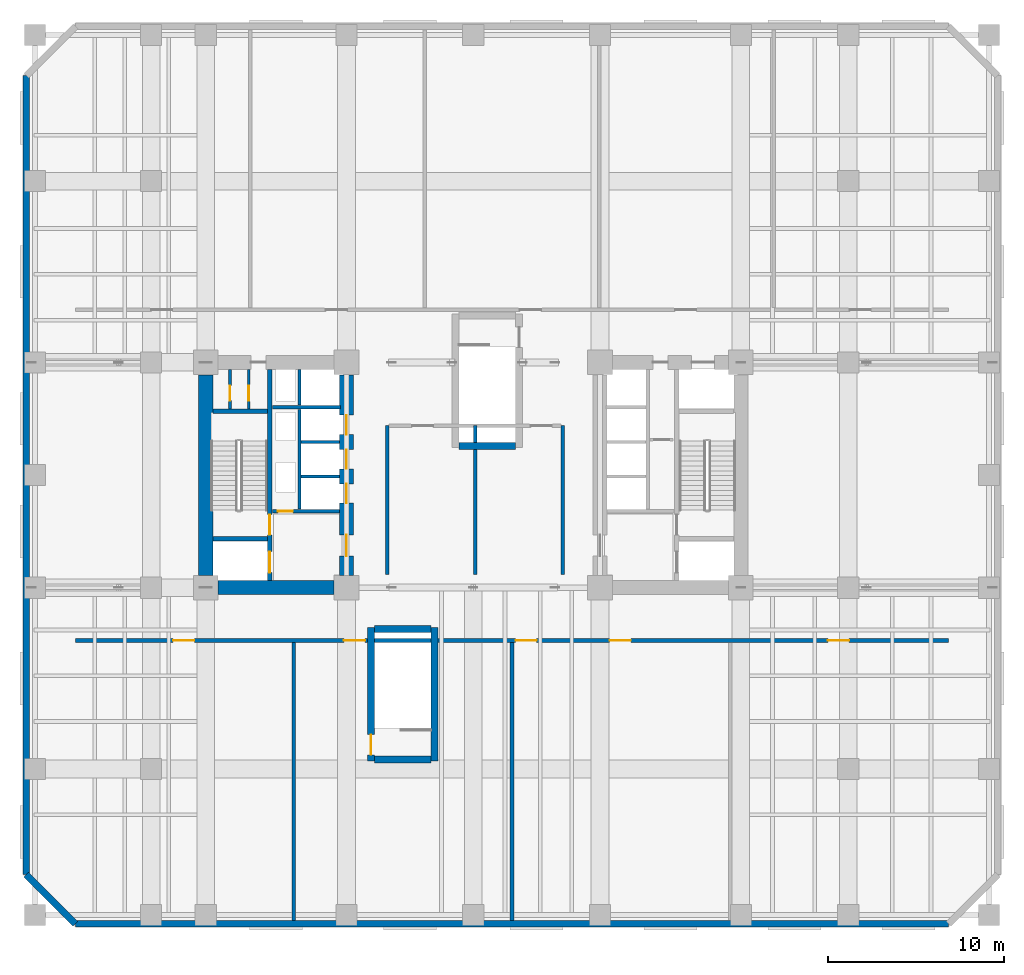
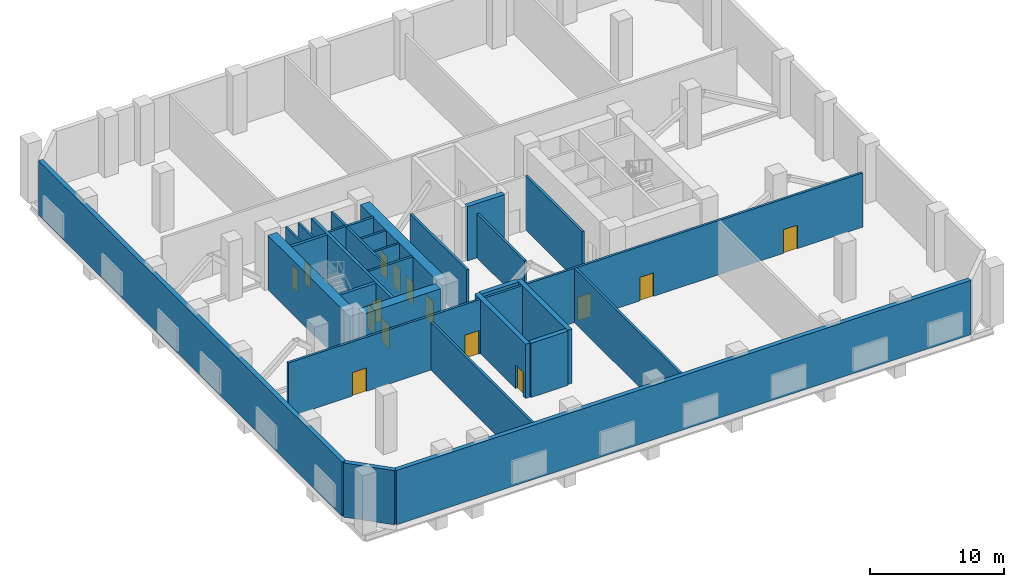
# One storey, part 7 of 13: 28 walls, 15 doors, 15 openings.
"""IFC4 building model written with IfcOpenShell, lengths in metres."""

from ifc_helpers import new_model, si_unit, direction, frame, frame_2d, origin, place, context, subcontext, project, spatial, rectangle, extrude, material, layer, layer_set, type_object, element, fill, save


model = new_model("IFC4")

# Units and contexts
model_context = context("Model", 3, precision=1e-05, world=origin(), true_north=direction((0.0, 1.0)))
body_context = subcontext(model_context, "Body", "Model", "MODEL_VIEW")
ifc_project = project(units=[si_unit("LENGTHUNIT", "METRE"), si_unit("AREAUNIT", "SQUARE_METRE"), si_unit("VOLUMEUNIT", "CUBIC_METRE"), si_unit("PLANEANGLEUNIT", "RADIAN"), si_unit("MASSUNIT", "GRAM", prefix="KILO")], contexts=[model_context])

# Site, building, storey
site_placement = place(None, origin())
site = spatial("IfcSite", under=ifc_project, at=site_placement, CompositionType="ELEMENT")
building_placement = place(site_placement, origin())
building = spatial("IfcBuilding", under=site, at=building_placement, Name="Kranthara Brick Stack", CompositionType="ELEMENT")
storey_placement = place(building_placement, frame((0.0, 0.0, 18.89990234375)))
storey = spatial("IfcBuildingStorey", under=building, at=storey_placement, Name="L04", CompositionType="ELEMENT", Elevation=18.89990234375)

# Walls
ifc_material_1 = material(Name="Kiln-fired clay brick masonry M15", Category="masonry")
ifc_layer_1 = layer(ifc_material_1, 0.3798828125)
ifc_layer_set_1 = layer_set([ifc_layer_1], Name="Kiln-fired clay brick masonry M15")
wall_type_1 = type_object("IfcWallType", Name="WL-BRK-PIER-380", PredefinedType="STANDARD", material=ifc_layer_set_1)
wall_1_placement = place(storey_placement, frame((55.0, 1.7099609375, 0.0), z_axis=(0.0, 0.0, 1.0), x_axis=(-1.0, 0.0, 0.0)))
element("IfcWall", 1, at=wall_1_placement, inside=storey, type_object=wall_type_1, Name="L04 Exterior Brick Facade Wall SOUTH 1", PredefinedType="STANDARD", context=body_context, shape_type="SweptSolid", body=[
    extrude(rectangle(XDim=49.60009765625, YDim=0.3798828125, at=frame_2d((24.800048828125, 0.0))), origin(), (0.0, 0.0, 1.0), 4.9501953125),
])
wall_2_placement = place(storey_placement, frame((5.39990234375, 1.7099609375, 0.0), z_axis=(0.0, 0.0, 1.0), x_axis=(-0.707075841688, 0.707137719332, 0.0)))
element("IfcWall", 2, at=wall_2_placement, inside=storey, type_object=wall_type_1, Name="L04 Exterior Brick Facade Wall SW 1", PredefinedType="STANDARD", context=body_context, shape_type="SweptSolid", body=[
    extrude(rectangle(XDim=3.945556640625, YDim=0.3798828125, at=frame_2d((1.97265625, 0.0))), origin(), (0.0, 0.0, 1.0), 4.9501953125),
])
wall_3_placement = place(storey_placement, frame((2.610107421875, 4.5, 0.0), z_axis=(0.0, 0.0, 1.0), x_axis=(0.0, 1.0, 0.0)))
element("IfcWall", 3, at=wall_3_placement, inside=storey, type_object=wall_type_1, Name="L04 Exterior Brick Facade Wall WEST 1", PredefinedType="STANDARD", context=body_context, shape_type="SweptSolid", body=[
    extrude(rectangle(XDim=45.39990234375, YDim=0.3798828125, at=frame_2d((22.699951171875, 0.0))), origin(), (0.0, 0.0, 1.0), 4.9501953125),
])

# Wall, openings, doors
ifc_material_2 = material(Name="Concrete C50/60", Category="concrete")
ifc_layer_2 = layer(ifc_material_2, 0.25)
ifc_layer_set_2 = layer_set([ifc_layer_2], Name="Concrete C50/60")
wall_type_2 = type_object("IfcWallType", Name="WL-CORE-250", PredefinedType="SHEAR", material=ifc_layer_set_2)
wall_4_placement = place(storey_placement, frame((16.43505859375, 21.2099609375, 0.0), z_axis=(0.0, 0.0, 1.0), x_axis=(0.0, 1.0, 0.0)))
wall_4 = element("IfcWall", 4, at=wall_4_placement, inside=storey, type_object=wall_type_2, Name="L04 West Core Stair Bearing Spine Wall", PredefinedType="SHEAR", context=body_context, shape_type="SweptSolid", body=[
    extrude(rectangle(XDim=11.97998046875, YDim=0.25, at=frame_2d((5.989990234375, 0.0))), origin(), (0.0, 0.0, 1.0), 4.9501953125),
])
opening_1_placement = place(wall_4_placement, frame((0.43994140625, 0.0, 0.0)))
opening_1 = element("IfcOpeningElement", 5, at=opening_1_placement, cuts=wall_4, Name="Opening LD01", PredefinedType="OPENING", context=body_context, shape_type="SweptSolid", body=[
    extrude(rectangle(XDim=1.199951171875, YDim=2.14990234375, at=frame_2d((0.60009765625, 1.074951171875))), frame((0.0, 0.135009765625, 0.0), z_axis=(0.0, -1.0, 0.0), x_axis=(1.0, 0.0, 0.0)), (0.0, 0.0, 1.0), 0.27001953125),
])
opening_2_placement = place(wall_4_placement, frame((2.590087890625, 0.0, 0.0)))
opening_2 = element("IfcOpeningElement", 6, at=opening_2_placement, cuts=wall_4, Name="Opening D05", PredefinedType="OPENING", context=body_context, shape_type="SweptSolid", body=[
    extrude(rectangle(XDim=1.14990234375, YDim=2.14990234375, at=frame_2d((0.574951171875, 1.074951171875))), frame((0.0, 0.135009765625, 0.0), z_axis=(0.0, -1.0, 0.0), x_axis=(1.0, 0.0, 0.0)), (0.0, 0.0, 1.0), 0.27001953125),
])
ifc_material_3 = material(Name="Stainless steel sliding landing door", Category="steel")
door_type_1 = type_object("IfcDoorType", Name="DR-LD-FF1200", OperationType="DOUBLE_DOOR_SLIDING", PredefinedType="DOOR", material=ifc_material_3)
door_1_placement = place(opening_1_placement, origin())
door_1 = element("IfcDoor", 7, at=door_1_placement, inside=storey, type_object=door_type_1, Name="L04 Firefighting Lift FF-01 Landing Door", OperationType="DOUBLE_DOOR_SLIDING", OverallHeight=2.14990234375, OverallWidth=1.199951171875, PredefinedType="DOOR", context=body_context, shape_type="SweptSolid", body=[
    extrude(rectangle(XDim=1.199951171875, YDim=2.14990234375, at=frame_2d((0.60009765625, 1.074951171875))), frame((0.0, 0.02490234375, 0.0), z_axis=(0.0, -1.0, 0.0), x_axis=(1.0, 0.0, 0.0)), (0.0, 0.0, 1.0), 0.050048828125),
])
fill(opening_1, door_1)
ifc_material_4 = material(Name="Solid-core hardwood timber leaf in steel frame", Category="steel")
door_type_2 = type_object("IfcDoorType", Name="DR-ST-1150", OperationType="NOTDEFINED", PredefinedType="DOOR", material=ifc_material_4)
door_2_placement = place(opening_2_placement, origin())
door_2 = element("IfcDoor", 8, at=door_2_placement, inside=storey, type_object=door_type_2, Name="L04 Exit Stair ST01 Door", OperationType="SINGLE_SWING_RIGHT", OverallHeight=2.14990234375, OverallWidth=1.14990234375, PredefinedType="DOOR", context=body_context, shape_type="SweptSolid", body=[
    extrude(rectangle(XDim=1.14990234375, YDim=2.14990234375, at=frame_2d((0.574951171875, 1.074951171875))), frame((0.0, 0.02490234375, 0.0), z_axis=(0.0, -1.0, 0.0), x_axis=(1.0, 0.0, 0.0)), (0.0, 0.0, 1.0), 0.050048828125),
])
fill(opening_2, door_2)

# Walls
for number, where, z_axis, x_axis, name in (
    (9, (13.2099609375, 23.570068359375, 0.0), (0.0, 0.0, 1.0), (1.0, 0.0, 0.0), "L04 West Stairwell Bearing Wall WFF"),
    (10, (13.2099609375, 30.830078125, 0.0), (0.0, 0.0, 1.0), (1.0, 0.0, 0.0), "L04 West Stairwell Bearing Wall WST"),
):
    element("IfcWall", number, at=place(storey_placement, frame(where, z_axis=z_axis, x_axis=x_axis)), inside=storey, type_object=wall_type_2, Name=name, PredefinedType="SHEAR", context=body_context, shape_type="SweptSolid", body=[
        extrude(rectangle(XDim=3.10009765625, YDim=0.25, at=frame_2d((1.550048828125, 0.0))), origin(), (0.0, 0.0, 1.0), 4.9501953125),
    ])

# Wall, opening, door
ifc_material_5 = material(Name="Concrete C50/60", Category="concrete")
ifc_layer_3 = layer(ifc_material_5, 0.39990234375)
ifc_layer_set_3 = layer_set([ifc_layer_3], Name="Concrete C50/60")
wall_type_3 = type_object("IfcWallType", Name="WL-CORE-400", PredefinedType="SHEAR", material=ifc_layer_set_3)
wall_5_placement = place(storey_placement, frame((22.18994140625, 10.949951171875, 0.0), z_axis=(0.0, 0.0, 1.0), x_axis=(0.0, 1.0, 0.0)))
wall_5 = element("IfcWall", 11, at=wall_5_placement, inside=storey, type_object=wall_type_3, Name="L04 Stair ST03 Bearing Wall W", PredefinedType="SHEAR", context=body_context, shape_type="SweptSolid", body=[
    extrude(rectangle(XDim=7.60009765625, YDim=0.39990234375, at=frame_2d((3.800048828125, 0.0))), origin(), (0.0, 0.0, 1.0), 4.9501953125),
])
opening_3_placement = place(wall_5_placement, frame((0.35009765625, 0.0, 0.0)))
opening_3 = element("IfcOpeningElement", 12, at=opening_3_placement, cuts=wall_5, Name="Opening D05", PredefinedType="OPENING", context=body_context, shape_type="SweptSolid", body=[
    extrude(rectangle(XDim=1.14990234375, YDim=2.14990234375, at=frame_2d((0.574951171875, 1.074951171875))), frame((0.0, 0.2099609375, 0.0), z_axis=(0.0, -1.0, 0.0), x_axis=(1.0, 0.0, 0.0)), (0.0, 0.0, 1.0), 0.419921875),
])
door_3_placement = place(opening_3_placement, origin())
door_3 = element("IfcDoor", 13, at=door_3_placement, inside=storey, type_object=door_type_2, Name="L04 Stair ST03 Door", OperationType="SINGLE_SWING_LEFT", OverallHeight=2.14990234375, OverallWidth=1.14990234375, PredefinedType="DOOR", context=body_context, shape_type="SweptSolid", body=[
    extrude(rectangle(XDim=1.14990234375, YDim=2.14990234375, at=frame_2d((0.574951171875, 1.074951171875))), frame((0.0, 0.02490234375, 0.0), z_axis=(0.0, -1.0, 0.0), x_axis=(1.0, 0.0, 0.0)), (0.0, 0.0, 1.0), 0.050048828125),
])
fill(opening_3, door_3)

# Walls
wall_6_placement = place(storey_placement, frame((25.81005859375, 10.949951171875, 0.0), z_axis=(0.0, 0.0, 1.0), x_axis=(0.0, 1.0, 0.0)))
element("IfcWall", 14, at=wall_6_placement, inside=storey, type_object=wall_type_3, Name="L04 Stair ST03 Bearing Wall E", PredefinedType="SHEAR", context=body_context, shape_type="SweptSolid", body=[
    extrude(rectangle(XDim=7.60009765625, YDim=0.39990234375, at=frame_2d((3.800048828125, 0.0))), origin(), (0.0, 0.0, 1.0), 4.9501953125),
])
for number, where, z_axis, x_axis, name in (
    (15, (22.39990234375, 11.050048828125, 0.0), (0.0, 0.0, 1.0), (1.0, 0.0, 0.0), "L04 Stair ST03 Bearing Wall S"),
    (16, (22.39990234375, 18.449951171875, 0.0), (0.0, 0.0, 1.0), (1.0, 0.0, 0.0), "L04 Stair ST03 Bearing Wall N"),
):
    element("IfcWall", number, at=place(storey_placement, frame(where, z_axis=z_axis, x_axis=x_axis)), inside=storey, type_object=wall_type_3, Name=name, PredefinedType="SHEAR", context=body_context, shape_type="SweptSolid", body=[
        extrude(rectangle(XDim=3.2001953125, YDim=0.39990234375, at=frame_2d((1.60009765625, 0.0))), origin(), (0.0, 0.0, 1.0), 4.9501953125),
    ])
wall_7_placement = place(storey_placement, frame((27.199951171875, 28.85009765625, 0.0), z_axis=(0.0, 0.0, 1.0), x_axis=(1.0, 0.0, 0.0)))
element("IfcWall", 17, at=wall_7_placement, inside=storey, type_object=wall_type_3, Name="L04 Stair ST04 Bearing Wall S", PredefinedType="SHEAR", context=body_context, shape_type="SweptSolid", body=[
    extrude(rectangle(XDim=3.199951171875, YDim=0.39990234375, at=frame_2d((1.60009765625, 0.0))), origin(), (0.0, 0.0, 1.0), 4.9501953125),
])
ifc_material_6 = material(Name="Concrete C70/85", Category="concrete")
ifc_layer_4 = layer(ifc_material_6, 0.800048828125)
ifc_layer_set_4 = layer_set([ifc_layer_4], Name="Concrete C70/85")
wall_type_4 = type_object("IfcWallType", Name="WL-CORE-800", PredefinedType="SHEAR", material=ifc_layer_set_4)
wall_8_placement = place(storey_placement, frame((12.800048828125, 21.5048828125, 0.0), z_axis=(0.0, 0.0, 1.0), x_axis=(0.0, 1.0, 0.0)))
element("IfcWall", 18, at=wall_8_placement, inside=storey, type_object=wall_type_4, Name="L04 West Core Shear Wall West", PredefinedType="SHEAR", context=body_context, shape_type="SweptSolid", body=[
    extrude(rectangle(XDim=11.39013671875, YDim=0.800048828125, at=frame_2d((5.695068359375, 0.0))), origin(), (0.0, 0.0, 1.0), 4.9501953125),
])
wall_9_placement = place(storey_placement, frame((13.5048828125, 20.800048828125, 0.0), z_axis=(0.0, 0.0, 1.0), x_axis=(1.0, 0.0, 0.0)))
element("IfcWall", 19, at=wall_9_placement, inside=storey, type_object=wall_type_4, Name="L04 West Core Shear Wall South", PredefinedType="SHEAR", context=body_context, shape_type="SweptSolid", body=[
    extrude(rectangle(XDim=6.590087890625, YDim=0.800048828125, at=frame_2d((3.294921875, 0.0))), origin(), (0.0, 0.0, 1.0), 4.9501953125),
])

# Wall, openings, doors
wall_10_placement = place(storey_placement, frame((20.800048828125, 21.5048828125, 0.0), z_axis=(0.0, 0.0, 1.0), x_axis=(0.0, 1.0, 0.0)))
wall_10 = element("IfcWall", 20, at=wall_10_placement, inside=storey, type_object=wall_type_4, Name="L04 West Core Shear Wall East", PredefinedType="SHEAR", context=body_context, shape_type="SweptSolid", body=[
    extrude(rectangle(XDim=11.39013671875, YDim=0.800048828125, at=frame_2d((5.695068359375, 0.0))), origin(), (0.0, 0.0, 1.0), 4.9501953125),
])
opening_4_placement = place(wall_10_placement, frame((1.094970703125, 0.0, 0.0)))
opening_4 = element("IfcOpeningElement", 21, at=opening_4_placement, cuts=wall_10, Name="Opening D06", PredefinedType="OPENING", context=body_context, shape_type="SweptSolid", body=[
    extrude(rectangle(XDim=1.199951171875, YDim=2.14990234375, at=frame_2d((0.60009765625, 1.074951171875))), frame((0.0, 0.409912109375, 0.0), z_axis=(0.0, -1.0, 0.0), x_axis=(1.0, 0.0, 0.0)), (0.0, 0.0, 1.0), 0.820068359375),
])
opening_5_placement = place(wall_10_placement, frame((4.094970703125, 0.0, 0.0)))
opening_5 = element("IfcOpeningElement", 22, at=opening_5_placement, cuts=wall_10, Name="Opening LD02", PredefinedType="OPENING", context=body_context, shape_type="SweptSolid", body=[
    extrude(rectangle(XDim=1.10009765625, YDim=2.10009765625, at=frame_2d((0.550048828125, 1.050048828125))), frame((0.0, 0.409912109375, 0.0), z_axis=(0.0, -1.0, 0.0), x_axis=(1.0, 0.0, 0.0)), (0.0, 0.0, 1.0), 0.820068359375),
])
opening_6_placement = place(wall_10_placement, frame((6.044921875, 0.0, 0.0)))
opening_6 = element("IfcOpeningElement", 23, at=opening_6_placement, cuts=wall_10, Name="Opening LD02", PredefinedType="OPENING", context=body_context, shape_type="SweptSolid", body=[
    extrude(rectangle(XDim=1.10009765625, YDim=2.10009765625, at=frame_2d((0.550048828125, 1.050048828125))), frame((0.0, 0.409912109375, 0.0), z_axis=(0.0, -1.0, 0.0), x_axis=(1.0, 0.0, 0.0)), (0.0, 0.0, 1.0), 0.820068359375),
])
opening_7_placement = place(wall_10_placement, frame((7.9951171875, 0.0, 0.0)))
opening_7 = element("IfcOpeningElement", 24, at=opening_7_placement, cuts=wall_10, Name="Opening LD02", PredefinedType="OPENING", context=body_context, shape_type="SweptSolid", body=[
    extrude(rectangle(XDim=1.10009765625, YDim=2.10009765625, at=frame_2d((0.550048828125, 1.050048828125))), frame((0.0, 0.409912109375, 0.0), z_axis=(0.0, -1.0, 0.0), x_axis=(1.0, 0.0, 0.0)), (0.0, 0.0, 1.0), 0.820068359375),
])
ifc_material_7 = material(Name="Solid-core hardwood timber leaf in steel frame", Category="steel")
door_type_3 = type_object("IfcDoorType", Name="DR-FFL-1200", OperationType="NOTDEFINED", PredefinedType="DOOR", material=ifc_material_7)
door_4_placement = place(opening_4_placement, origin())
door_4 = element("IfcDoor", 25, at=door_4_placement, inside=storey, type_object=door_type_3, Name="L04 West Firefighting Lobby Door", OperationType="SINGLE_SWING_LEFT", OverallHeight=2.14990234375, OverallWidth=1.199951171875, PredefinedType="DOOR", context=body_context, shape_type="SweptSolid", body=[
    extrude(rectangle(XDim=1.199951171875, YDim=2.14990234375, at=frame_2d((0.60009765625, 1.074951171875))), frame((0.0, 0.02490234375, 0.0), z_axis=(0.0, -1.0, 0.0), x_axis=(1.0, 0.0, 0.0)), (0.0, 0.0, 1.0), 0.050048828125),
])
fill(opening_4, door_4)
ifc_material_8 = material(Name="Stainless steel sliding landing door", Category="steel")
door_type_4 = type_object("IfcDoorType", Name="DR-LD-PL1100", OperationType="DOUBLE_DOOR_SLIDING", PredefinedType="DOOR", material=ifc_material_8)
door_5_placement = place(opening_5_placement, origin())
door_5 = element("IfcDoor", 26, at=door_5_placement, inside=storey, type_object=door_type_4, Name="L04 PL-01 Lift Landing Door", OperationType="DOUBLE_DOOR_SLIDING", OverallHeight=2.10009765625, OverallWidth=1.10009765625, PredefinedType="DOOR", context=body_context, shape_type="SweptSolid", body=[
    extrude(rectangle(XDim=1.10009765625, YDim=2.10009765625, at=frame_2d((0.550048828125, 1.050048828125))), frame((0.0, 0.02490234375, 0.0), z_axis=(0.0, -1.0, 0.0), x_axis=(1.0, 0.0, 0.0)), (0.0, 0.0, 1.0), 0.050048828125),
])
fill(opening_5, door_5)
door_6_placement = place(opening_6_placement, origin())
door_6 = element("IfcDoor", 27, at=door_6_placement, inside=storey, type_object=door_type_4, Name="L04 PL-02 Lift Landing Door", OperationType="DOUBLE_DOOR_SLIDING", OverallHeight=2.10009765625, OverallWidth=1.10009765625, PredefinedType="DOOR", context=body_context, shape_type="SweptSolid", body=[
    extrude(rectangle(XDim=1.10009765625, YDim=2.10009765625, at=frame_2d((0.550048828125, 1.050048828125))), frame((0.0, 0.02490234375, 0.0), z_axis=(0.0, -1.0, 0.0), x_axis=(1.0, 0.0, 0.0)), (0.0, 0.0, 1.0), 0.050048828125),
])
fill(opening_6, door_6)
door_7_placement = place(opening_7_placement, origin())
door_7 = element("IfcDoor", 28, at=door_7_placement, inside=storey, type_object=door_type_4, Name="L04 PL-03 Lift Landing Door", OperationType="DOUBLE_DOOR_SLIDING", OverallHeight=2.10009765625, OverallWidth=1.10009765625, PredefinedType="DOOR", context=body_context, shape_type="SweptSolid", body=[
    extrude(rectangle(XDim=1.10009765625, YDim=2.10009765625, at=frame_2d((0.550048828125, 1.050048828125))), frame((0.0, 0.02490234375, 0.0), z_axis=(0.0, -1.0, 0.0), x_axis=(1.0, 0.0, 0.0)), (0.0, 0.0, 1.0), 0.050048828125),
])
fill(opening_7, door_7)

# Wall, opening, door
ifc_material_9 = material(Name="Fire-rated gypsum board partition", Category="other")
ifc_layer_5 = layer(ifc_material_9, 0.14990234375)
ifc_layer_set_5 = layer_set([ifc_layer_5], Name="Fire-rated gypsum board partition")
wall_type_5 = type_object("IfcWallType", Name="WL-PART-150", PredefinedType="PARTITIONING", material=ifc_layer_set_5)
wall_11_placement = place(storey_placement, frame((14.179931640625, 30.9599609375, 0.0), z_axis=(0.0, 0.0, 1.0), x_axis=(0.0, 1.0, 0.0)))
wall_11 = element("IfcWall", 29, at=wall_11_placement, inside=storey, type_object=wall_type_5, Name="L04 Interior Partition 001", PredefinedType="PARTITIONING", context=body_context, shape_type="SweptSolid", body=[
    extrude(rectangle(XDim=2.235107421875, YDim=0.14990234375, at=frame_2d((1.11767578125, 0.0))), origin(), (0.0, 0.0, 1.0), 4.9501953125),
])
opening_8_placement = place(wall_11_placement, frame((0.469970703125, 0.0, 0.0)))
opening_8 = element("IfcOpeningElement", 30, at=opening_8_placement, cuts=wall_11, Name="Opening D10", PredefinedType="OPENING", context=body_context, shape_type="SweptSolid", body=[
    extrude(rectangle(XDim=0.85009765625, YDim=2.02001953125, at=frame_2d((0.425048828125, 1.010009765625))), frame((0.0, 0.0849609375, 0.0), z_axis=(0.0, -1.0, 0.0), x_axis=(1.0, 0.0, 0.0)), (0.0, 0.0, 1.0), 0.169921875),
])
ifc_material_10 = material(Name="Solid-core hardwood timber leaf in steel frame", Category="steel")
door_type_5 = type_object("IfcDoorType", Name="DR-RSR-850", OperationType="NOTDEFINED", PredefinedType="DOOR", material=ifc_material_10)
door_8_placement = place(opening_8_placement, origin())
door_8 = element("IfcDoor", 31, at=door_8_placement, inside=storey, type_object=door_type_5, Name="L04 Riser Door A 01", OperationType="SINGLE_SWING_LEFT", OverallHeight=2.02001953125, OverallWidth=0.85009765625, PredefinedType="DOOR", context=body_context, shape_type="SweptSolid", body=[
    extrude(rectangle(XDim=0.85009765625, YDim=2.02001953125, at=frame_2d((0.425048828125, 1.010009765625))), frame((0.0, 0.02490234375, 0.0), z_axis=(0.0, -1.0, 0.0), x_axis=(1.0, 0.0, 0.0)), (0.0, 0.0, 1.0), 0.050048828125),
])
fill(opening_8, door_8)

wall_12_placement = place(storey_placement, frame((15.25, 30.9599609375, 0.0), z_axis=(0.0, 0.0, 1.0), x_axis=(0.0, 1.0, 0.0)))
wall_12 = element("IfcWall", 32, at=wall_12_placement, inside=storey, type_object=wall_type_5, Name="L04 Interior Partition 002", PredefinedType="PARTITIONING", context=body_context, shape_type="SweptSolid", body=[
    extrude(rectangle(XDim=2.235107421875, YDim=0.14990234375, at=frame_2d((1.11767578125, 0.0))), origin(), (0.0, 0.0, 1.0), 4.9501953125),
])
opening_9_placement = place(wall_12_placement, frame((0.469970703125, 0.0, 0.0)))
opening_9 = element("IfcOpeningElement", 33, at=opening_9_placement, cuts=wall_12, Name="Opening D10", PredefinedType="OPENING", context=body_context, shape_type="SweptSolid", body=[
    extrude(rectangle(XDim=0.85009765625, YDim=2.02001953125, at=frame_2d((0.425048828125, 1.010009765625))), frame((0.0, 0.0849609375, 0.0), z_axis=(0.0, -1.0, 0.0), x_axis=(1.0, 0.0, 0.0)), (0.0, 0.0, 1.0), 0.169921875),
])
door_9_placement = place(opening_9_placement, origin())
door_9 = element("IfcDoor", 34, at=door_9_placement, inside=storey, type_object=door_type_5, Name="L04 Riser Door B 02", OperationType="SINGLE_SWING_RIGHT", OverallHeight=2.02001953125, OverallWidth=0.85009765625, PredefinedType="DOOR", context=body_context, shape_type="SweptSolid", body=[
    extrude(rectangle(XDim=0.85009765625, YDim=2.02001953125, at=frame_2d((0.425048828125, 1.010009765625))), frame((0.0, 0.02490234375, 0.0), z_axis=(0.0, -1.0, 0.0), x_axis=(1.0, 0.0, 0.0)), (0.0, 0.0, 1.0), 0.050048828125),
])
fill(opening_9, door_9)

# Walls
ifc_material_11 = material(Name="Gypsum plasterboard on acoustic twin stud", Category="other")
ifc_layer_6 = layer(ifc_material_11, 0.179931640625)
ifc_layer_set_6 = layer_set([ifc_layer_6], Name="Gypsum plasterboard on acoustic twin stud")
wall_type_6 = type_object("IfcWallType", Name="WL-PART-180", PredefinedType="PARTITIONING", material=ifc_layer_set_6)
wall_13_placement = place(storey_placement, frame((18.1201171875, 25.27001953125, 0.0), z_axis=(0.0, 0.0, 1.0), x_axis=(0.0, 1.0, 0.0)))
element("IfcWall", 35, at=wall_13_placement, inside=storey, type_object=wall_type_6, Name="L04 West Hoistway Wall WBK", PredefinedType="PARTITIONING", context=body_context, shape_type="SweptSolid", body=[
    extrude(rectangle(XDim=5.659912109375, YDim=0.179931640625, at=frame_2d((2.830078125, 0.0))), origin(), (0.0, 0.0, 1.0), 4.9501953125),
])
wall_14_placement = place(storey_placement, frame((18.1201171875, 31.169921875, 0.0), z_axis=(0.0, 0.0, 1.0), x_axis=(0.0, 1.0, 0.0)))
element("IfcWall", 36, at=wall_14_placement, inside=storey, type_object=wall_type_6, Name="L04 West Hoistway Wall WBK7", PredefinedType="PARTITIONING", context=body_context, shape_type="SweptSolid", body=[
    extrude(rectangle(XDim=2.02001953125, YDim=0.179931640625, at=frame_2d((1.010009765625, 0.0))), origin(), (0.0, 0.0, 1.0), 4.9501953125),
])
for number, where, z_axis, x_axis, name in (
    (37, (18.219970703125, 27.1201171875, 0.0), (0.0, 0.0, 1.0), (1.0, 0.0, 0.0), "L04 West Hoistway Wall WH1"),
    (38, (18.219970703125, 29.080078125, 0.0), (0.0, 0.0, 1.0), (1.0, 0.0, 0.0), "L04 West Hoistway Wall WH2"),
):
    element("IfcWall", number, at=place(storey_placement, frame(where, z_axis=z_axis, x_axis=x_axis)), inside=storey, type_object=wall_type_6, Name=name, PredefinedType="PARTITIONING", context=body_context, shape_type="SweptSolid", body=[
        extrude(rectangle(XDim=2.169921875, YDim=0.179931640625, at=frame_2d((1.0849609375, 0.0))), origin(), (0.0, 0.0, 1.0), 4.9501953125),
    ])

# Wall, opening, door
ifc_material_12 = material(Name="Concrete C40/50", Category="concrete")
ifc_layer_7 = layer(ifc_material_12, 0.199951171875)
ifc_layer_set_7 = layer_set([ifc_layer_7], Name="Concrete C40/50")
wall_type_7 = type_object("IfcWallType", Name="WL-PART-200", PredefinedType="SOLIDWALL", material=ifc_layer_set_7)
wall_15_placement = place(storey_placement, frame((16.60009765625, 25.14990234375, 0.0), z_axis=(0.0, 0.0, 1.0), x_axis=(1.0, 0.0, 0.0)))
wall_15 = element("IfcWall", 39, at=wall_15_placement, inside=storey, type_object=wall_type_7, Name="L04 West Core Cross Wall WFL", PredefinedType="SOLIDWALL", context=body_context, shape_type="SweptSolid", body=[
    extrude(rectangle(XDim=3.789794921875, YDim=0.199951171875, at=frame_2d((1.89501953125, 0.0))), origin(), (0.0, 0.0, 1.0), 4.9501953125),
])
opening_10_placement = place(wall_15_placement, frame((0.300048828125, 0.0, 0.0)))
opening_10 = element("IfcOpeningElement", 40, at=opening_10_placement, cuts=wall_15, Name="Opening D10", PredefinedType="OPENING", context=body_context, shape_type="SweptSolid", body=[
    extrude(rectangle(XDim=0.85009765625, YDim=2.02001953125, at=frame_2d((0.425048828125, 1.010009765625))), frame((0.0, 0.10986328125, 0.0), z_axis=(0.0, -1.0, 0.0), x_axis=(1.0, 0.0, 0.0)), (0.0, 0.0, 1.0), 0.219970703125),
])
door_10_placement = place(opening_10_placement, origin())
door_10 = element("IfcDoor", 41, at=door_10_placement, inside=storey, type_object=door_type_5, Name="L04 Mechanical Riser Access Door", OperationType="SINGLE_SWING_LEFT", OverallHeight=2.02001953125, OverallWidth=0.85009765625, PredefinedType="DOOR", context=body_context, shape_type="SweptSolid", body=[
    extrude(rectangle(XDim=0.85009765625, YDim=2.02001953125, at=frame_2d((0.425048828125, 1.010009765625))), frame((0.0, 0.02490234375, 0.0), z_axis=(0.0, -1.0, 0.0), x_axis=(1.0, 0.0, 0.0)), (0.0, 0.0, 1.0), 0.050048828125),
])
fill(opening_10, door_10)

# Wall
wall_16_placement = place(storey_placement, frame((16.60009765625, 31.050048828125, 0.0), z_axis=(0.0, 0.0, 1.0), x_axis=(1.0, 0.0, 0.0)))
element("IfcWall", 42, at=wall_16_placement, inside=storey, type_object=wall_type_7, Name="L04 West Core Cross Wall WH4", PredefinedType="SOLIDWALL", context=body_context, shape_type="SweptSolid", body=[
    extrude(rectangle(XDim=3.849853515625, YDim=0.199951171875, at=frame_2d((1.9248046875, 0.0))), origin(), (0.0, 0.0, 1.0), 4.9501953125),
])

# Wall, openings, doors
wall_17_placement = place(storey_placement, frame((5.39990234375, 17.800048828125, 0.0), z_axis=(0.0, 0.0, 1.0), x_axis=(1.0, 0.0, 0.0)))
wall_17 = element("IfcWall", 43, at=wall_17_placement, inside=storey, type_object=wall_type_7, Name="L04 Interior Partition 004", PredefinedType="SOLIDWALL", context=body_context, shape_type="SweptSolid", body=[
    extrude(rectangle(XDim=49.60009765625, YDim=0.199951171875, at=frame_2d((24.800048828125, 0.0))), origin(), (0.0, 0.0, 1.0), 4.9501953125),
])
opening_11_placement = place(wall_17_placement, frame((5.550048828125, 0.0, 0.0)))
opening_11 = element("IfcOpeningElement", 44, at=opening_11_placement, cuts=wall_17, Name="Opening D21", PredefinedType="OPENING", context=body_context, shape_type="SweptSolid", body=[
    extrude(rectangle(XDim=1.199951171875, YDim=2.14990234375, at=frame_2d((0.60009765625, 1.074951171875))), frame((0.0, 0.10986328125, 0.0), z_axis=(0.0, -1.0, 0.0), x_axis=(1.0, 0.0, 0.0)), (0.0, 0.0, 1.0), 0.219970703125),
])
opening_12_placement = place(wall_17_placement, frame((15.25, 0.0, 0.0)))
opening_12 = element("IfcOpeningElement", 45, at=opening_12_placement, cuts=wall_17, Name="Opening D21", PredefinedType="OPENING", context=body_context, shape_type="SweptSolid", body=[
    extrude(rectangle(XDim=1.199951171875, YDim=2.14990234375, at=frame_2d((0.60009765625, 1.074951171875))), frame((0.0, 0.10986328125, 0.0), z_axis=(0.0, -1.0, 0.0), x_axis=(1.0, 0.0, 0.0)), (0.0, 0.0, 1.0), 0.219970703125),
])
opening_13_placement = place(wall_17_placement, frame((30.35009765625, 0.0, 0.0)))
opening_13 = element("IfcOpeningElement", 46, at=opening_13_placement, cuts=wall_17, Name="Opening D21", PredefinedType="OPENING", context=body_context, shape_type="SweptSolid", body=[
    extrude(rectangle(XDim=1.199951171875, YDim=2.14990234375, at=frame_2d((0.60009765625, 1.074951171875))), frame((0.0, 0.10986328125, 0.0), z_axis=(0.0, -1.0, 0.0), x_axis=(1.0, 0.0, 0.0)), (0.0, 0.0, 1.0), 0.219970703125),
])
opening_14_placement = place(wall_17_placement, frame((42.75, 0.0, 0.0)))
opening_14 = element("IfcOpeningElement", 47, at=opening_14_placement, cuts=wall_17, Name="Opening D21", PredefinedType="OPENING", context=body_context, shape_type="SweptSolid", body=[
    extrude(rectangle(XDim=1.199951171875, YDim=2.14990234375, at=frame_2d((0.60009765625, 1.074951171875))), frame((0.0, 0.10986328125, 0.0), z_axis=(0.0, -1.0, 0.0), x_axis=(1.0, 0.0, 0.0)), (0.0, 0.0, 1.0), 0.219970703125),
])
opening_15_placement = place(wall_17_placement, frame((25.0, 0.0, 0.0)))
opening_15 = element("IfcOpeningElement", 48, at=opening_15_placement, cuts=wall_17, Name="Opening VG02", PredefinedType="OPENING", context=body_context, shape_type="SweptSolid", body=[
    extrude(rectangle(XDim=1.199951171875, YDim=2.14990234375, at=frame_2d((0.60009765625, 1.074951171875))), frame((0.0, 0.10986328125, 0.0), z_axis=(0.0, -1.0, 0.0), x_axis=(1.0, 0.0, 0.0)), (0.0, 0.0, 1.0), 0.219970703125),
])
ifc_material_13 = material(Name="Solid-core hardwood timber leaf in steel frame", Category="steel")
door_type_6 = type_object("IfcDoorType", Name="DR-FD-1200", OperationType="NOTDEFINED", PredefinedType="DOOR", material=ifc_material_13)
door_11_placement = place(opening_11_placement, origin())
door_11 = element("IfcDoor", 49, at=door_11_placement, inside=storey, type_object=door_type_6, Name="L04 PLT-01 06", OperationType="SINGLE_SWING_RIGHT", OverallHeight=2.14990234375, OverallWidth=1.199951171875, PredefinedType="DOOR", context=body_context, shape_type="SweptSolid", body=[
    extrude(rectangle(XDim=1.199951171875, YDim=2.14990234375, at=frame_2d((0.60009765625, 1.074951171875))), frame((0.0, 0.02490234375, 0.0), z_axis=(0.0, -1.0, 0.0), x_axis=(1.0, 0.0, 0.0)), (0.0, 0.0, 1.0), 0.050048828125),
])
fill(opening_11, door_11)
door_12_placement = place(opening_12_placement, origin())
door_12 = element("IfcDoor", 50, at=door_12_placement, inside=storey, type_object=door_type_6, Name="L04 REF-S 07", OperationType="SINGLE_SWING_LEFT", OverallHeight=2.14990234375, OverallWidth=1.199951171875, PredefinedType="DOOR", context=body_context, shape_type="SweptSolid", body=[
    extrude(rectangle(XDim=1.199951171875, YDim=2.14990234375, at=frame_2d((0.60009765625, 1.074951171875))), frame((0.0, 0.02490234375, 0.0), z_axis=(0.0, -1.0, 0.0), x_axis=(1.0, 0.0, 0.0)), (0.0, 0.0, 1.0), 0.050048828125),
])
fill(opening_12, door_12)
door_13_placement = place(opening_13_placement, origin())
door_13 = element("IfcDoor", 51, at=door_13_placement, inside=storey, type_object=door_type_6, Name="L04 PLT-02 08", OperationType="SINGLE_SWING_RIGHT", OverallHeight=2.14990234375, OverallWidth=1.199951171875, PredefinedType="DOOR", context=body_context, shape_type="SweptSolid", body=[
    extrude(rectangle(XDim=1.199951171875, YDim=2.14990234375, at=frame_2d((0.60009765625, 1.074951171875))), frame((0.0, 0.02490234375, 0.0), z_axis=(0.0, -1.0, 0.0), x_axis=(1.0, 0.0, 0.0)), (0.0, 0.0, 1.0), 0.050048828125),
])
fill(opening_13, door_13)
door_14_placement = place(opening_14_placement, origin())
door_14 = element("IfcDoor", 52, at=door_14_placement, inside=storey, type_object=door_type_6, Name="L04 PLT-03 09", OperationType="SINGLE_SWING_LEFT", OverallHeight=2.14990234375, OverallWidth=1.199951171875, PredefinedType="DOOR", context=body_context, shape_type="SweptSolid", body=[
    extrude(rectangle(XDim=1.199951171875, YDim=2.14990234375, at=frame_2d((0.60009765625, 1.074951171875))), frame((0.0, 0.02490234375, 0.0), z_axis=(0.0, -1.0, 0.0), x_axis=(1.0, 0.0, 0.0)), (0.0, 0.0, 1.0), 0.050048828125),
])
fill(opening_14, door_14)
ifc_material_14 = material(Name="Powder-coated galvanized steel sheet", Category="steel")
door_type_7 = type_object("IfcDoorType", Name="DR-PGATE-1200", OperationType="NOTDEFINED", PredefinedType="GATE", material=ifc_material_14)
door_15_placement = place(opening_15_placement, origin())
door_15 = element("IfcDoor", 53, at=door_15_placement, inside=storey, type_object=door_type_7, Name="L04 Mechanical Plant Security Gate", OperationType="SINGLE_SWING_LEFT", OverallHeight=2.14990234375, OverallWidth=1.199951171875, PredefinedType="GATE", context=body_context, shape_type="SweptSolid", body=[
    extrude(rectangle(XDim=1.199951171875, YDim=2.14990234375, at=frame_2d((0.60009765625, 1.074951171875))), frame((0.0, 0.02490234375, 0.0), z_axis=(0.0, -1.0, 0.0), x_axis=(1.0, 0.0, 0.0)), (0.0, 0.0, 1.0), 0.050048828125),
])
fill(opening_15, door_15)

# Walls
for number, where, z_axis, x_axis, name in (
    (54, (23.1201171875, 21.550048828125, 0.0), (0.0, 0.0, 1.0), (0.0, 1.0, 0.0), "L04 Interior Partition 006"),
    (55, (33.080078125, 21.550048828125, 0.0), (0.0, 0.0, 1.0), (0.0, 1.0, 0.0), "L04 Interior Partition 007"),
):
    element("IfcWall", number, at=place(storey_placement, frame(where, z_axis=z_axis, x_axis=x_axis)), inside=storey, type_object=wall_type_7, Name=name, PredefinedType="SOLIDWALL", context=body_context, shape_type="SweptSolid", body=[
        extrude(rectangle(XDim=8.449951171875, YDim=0.199951171875, at=frame_2d((4.22509765625, 0.0))), origin(), (0.0, 0.0, 1.0), 4.9501953125),
    ])
wall_18_placement = place(storey_placement, frame((28.10009765625, 21.550048828125, 0.0), z_axis=(0.0, 0.0, 1.0), x_axis=(0.0, 1.0, 0.0)))
element("IfcWall", 56, at=wall_18_placement, inside=storey, type_object=wall_type_7, Name="L04 Interior Partition 008", PredefinedType="SOLIDWALL", context=body_context, shape_type="SweptSolid", body=[
    extrude(rectangle(XDim=8.449951171875, YDim=0.199951171875, at=frame_2d((4.22509765625, 0.0))), origin(), (0.0, 0.0, 1.0), 4.03515625),
])
wall_19_placement = place(storey_placement, frame((17.800048828125, 1.905029296875, 0.0), z_axis=(0.0, 0.0, 1.0), x_axis=(0.0, 1.0, 0.0)))
element("IfcWall", 57, at=wall_19_placement, inside=storey, type_object=wall_type_7, Name="L04 Interior Partition 010", PredefinedType="SOLIDWALL", context=body_context, shape_type="SweptSolid", body=[
    extrude(rectangle(XDim=15.7900390625, YDim=0.199951171875, at=frame_2d((7.89501953125, 0.0))), origin(), (0.0, 0.0, 1.0), 4.385009765625),
])
wall_20_placement = place(storey_placement, frame((30.199951171875, 1.905029296875, 0.0), z_axis=(0.0, 0.0, 1.0), x_axis=(0.0, 1.0, 0.0)))
element("IfcWall", 58, at=wall_20_placement, inside=storey, type_object=wall_type_7, Name="L04 Interior Partition 011", PredefinedType="SOLIDWALL", context=body_context, shape_type="SweptSolid", body=[
    extrude(rectangle(XDim=15.7900390625, YDim=0.199951171875, at=frame_2d((7.89501953125, 0.0))), origin(), (0.0, 0.0, 1.0), 4.9501953125),
])

save(model, "model.ifc")
